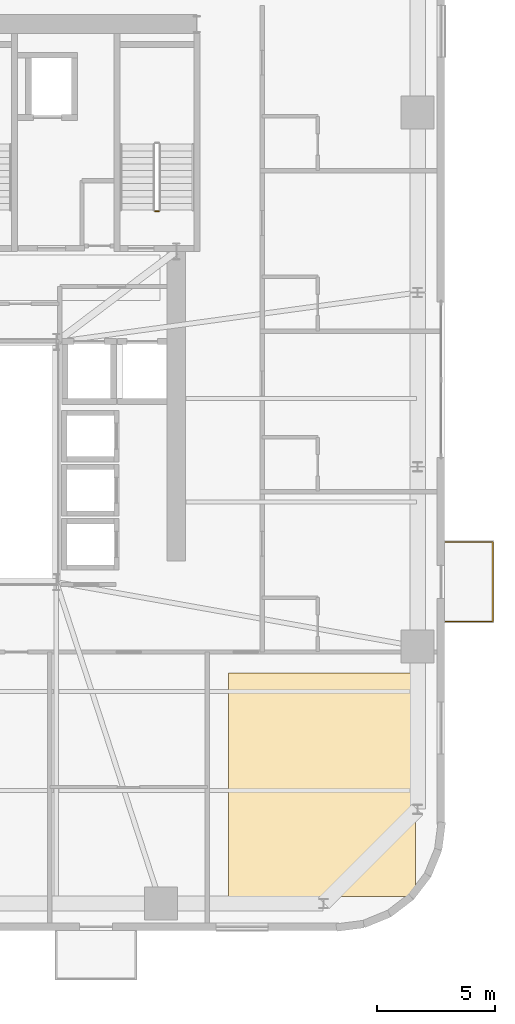
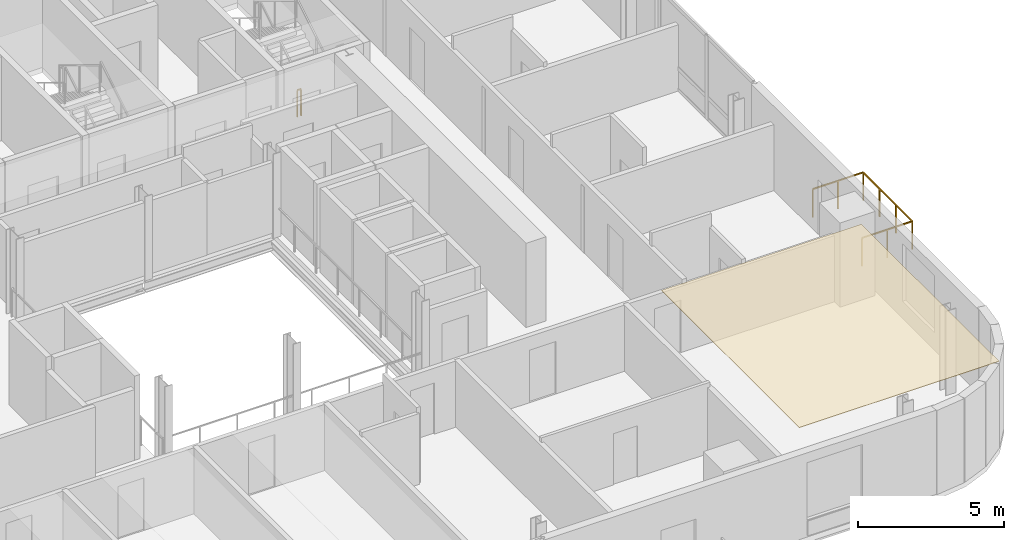
# One storey, part 14 of 16: 2 railings, 1 covering.
"""IFC4 building model written with IfcOpenShell, lengths in metres."""

from ifc_helpers import new_model, si_unit, direction, frame, origin, origin_2d, place, context, subcontext, project, spatial, polyline, rectangle, outline, extrude, source, transform, mapped, material, layer, layer_set, type_object, element, save


model = new_model("IFC4")

# Units and contexts
model_context = context("Model", 3, precision=1e-05, world=origin(), true_north=direction((0.0, 1.0)))
body_context = subcontext(model_context, "Body", "Model", "MODEL_VIEW")
ifc_project = project(units=[si_unit("LENGTHUNIT", "METRE"), si_unit("AREAUNIT", "SQUARE_METRE"), si_unit("VOLUMEUNIT", "CUBIC_METRE"), si_unit("PLANEANGLEUNIT", "RADIAN"), si_unit("MASSUNIT", "GRAM", prefix="KILO")], contexts=[model_context])

# Site, building, storey
site_placement = place(None, origin())
site = spatial("IfcSite", under=ifc_project, at=site_placement, CompositionType="ELEMENT")
building_placement = place(site_placement, origin())
building = spatial("IfcBuilding", under=site, at=building_placement, Name="Vardaveli Station Tower", CompositionType="ELEMENT")
storey_placement = place(building_placement, frame((0.0, 0.0, 199.800048828125)))
storey = spatial("IfcBuildingStorey", under=building, at=storey_placement, Name="L51", CompositionType="ELEMENT", Elevation=199.800048828125)

# Covering
ifc_material_1 = material(Name="Perforated acoustic mineral ceiling")
ifc_layer = layer(ifc_material_1, 0.02001953125, Name="Perforated acoustic mineral ceiling")
ifc_layer_set = layer_set([ifc_layer], Name="Perforated acoustic mineral ceiling")
covering_type = type_object("IfcCoveringType", Name="COV-CEIL-AC20", PredefinedType="CEILING", material=ifc_layer_set)
covering_placement = place(storey_placement, frame((0.0, 0.0, 3.514892578125)))
element("IfcCovering", 1, at=covering_placement, inside=storey, type_object=covering_type, Name="CEIL-L51-5", PredefinedType="CEILING", context=body_context, shape_type="SweptSolid", body=[
    extrude(outline(polyline([(48.719970703125, 3.25), (56.64990234375, 3.25), (56.64990234375, 12.72998046875), (48.719970703125, 12.72998046875), (48.719970703125, 3.25)])), origin(), (0.0, 0.0, 1.0), 0.02001953125),
])

# Railings
ifc_material_2 = material(Name="Laminated glass and stainless steel balustrade", Category="steel")
railing_type_1 = type_object("IfcRailingType", Name="RL-BAL-1200", PredefinedType="BALUSTRADE", material=ifc_material_2)
shared_shape_1 = source(origin(), body_context, "Body", "SweptSolid", [
    extrude(rectangle(XDim=0.048095703125, YDim=0.048095703125, at=origin_2d()), frame((0.0, 0.0, 1.17578125), z_axis=(1.0, 0.0, 0.0), x_axis=(0.0, 1.0, 0.0)), (0.0, 0.0, 1.0), 2.0),
    extrude(rectangle(XDim=0.048095703125, YDim=0.048095703125, at=origin_2d()), frame((2.0, 0.0, 1.17578125), z_axis=(0.0, 1.0, 0.0), x_axis=(-1.0, 0.0, 0.0)), (0.0, 0.0, 1.0), 3.3798828125),
    extrude(rectangle(XDim=0.048095703125, YDim=0.048095703125, at=origin_2d()), frame((2.0, 3.3798828125, 1.17578125), z_axis=(-1.0, 0.0, 0.0), x_axis=(0.0, -1.0, 0.0)), (0.0, 0.0, 1.0), 2.0),
    extrude(rectangle(XDim=0.0419921875, YDim=0.0419921875, at=origin_2d()), origin(), (0.0, 0.0, 1.0), 1.15185546875),
    extrude(rectangle(XDim=0.0419921875, YDim=0.0419921875, at=origin_2d()), frame((1.0, 0.0, 0.0)), (0.0, 0.0, 1.0), 1.15185546875),
    extrude(rectangle(XDim=0.0419921875, YDim=0.0419921875, at=origin_2d()), frame((2.0, 0.0, 0.0)), (0.0, 0.0, 1.0), 1.15185546875),
    extrude(rectangle(XDim=0.0419921875, YDim=0.0419921875, at=origin_2d()), frame((2.0, 1.126708984375, 0.0)), (0.0, 0.0, 1.0), 1.15185546875),
    extrude(rectangle(XDim=0.0419921875, YDim=0.0419921875, at=origin_2d()), frame((2.0, 2.253173828125, 0.0)), (0.0, 0.0, 1.0), 1.15185546875),
    extrude(rectangle(XDim=0.0419921875, YDim=0.0419921875, at=origin_2d()), frame((2.0, 3.3798828125, 0.0)), (0.0, 0.0, 1.0), 1.15185546875),
    extrude(rectangle(XDim=0.0419921875, YDim=0.0419921875, at=origin_2d()), frame((1.0, 3.3798828125, 0.0)), (0.0, 0.0, 1.0), 1.15185546875),
    extrude(rectangle(XDim=0.0419921875, YDim=0.0419921875, at=origin_2d()), frame((0.0, 3.3798828125, 0.0)), (0.0, 0.0, 1.0), 1.15185546875),
])
railing_1_placement = place(storey_placement, frame((57.93994140625, 14.92041015625, 0.0)))
element("IfcRailing", 2, at=railing_1_placement, inside=storey, type_object=railing_type_1, Name="RL-LOG-L51-04", PredefinedType="BALUSTRADE", context=body_context, shape_type="MappedRepresentation", body=[
    mapped(shared_shape_1, transform((0.0, 0.0, 0.0), scale=1.0)),
])
ifc_material_3 = material(Name="Brushed AISI 316 stainless steel", Category="steel")
railing_type_2 = type_object("IfcRailingType", Name="RL-GUARD-1150", PredefinedType="GUARDRAIL", material=ifc_material_3)
shared_shape_2 = source(origin(), body_context, "Body", "SweptSolid", [
    extrude(rectangle(XDim=0.048095703125, YDim=0.048095703125, at=origin_2d()), frame((0.0, 0.0, 1.1259765625), z_axis=(-1.0, 0.0, 0.0), x_axis=(0.0, -1.0, 0.0)), (0.0, 0.0, 1.0), 0.14990234375),
    extrude(rectangle(XDim=0.0419921875, YDim=0.0419921875, at=origin_2d()), origin(), (0.0, 0.0, 1.0), 1.101806640625),
    extrude(rectangle(XDim=0.0419921875, YDim=0.0419921875, at=origin_2d()), frame((-0.14990234375, 0.0, 0.0)), (0.0, 0.0, 1.0), 1.101806640625),
])
railing_2_placement = place(storey_placement, frame((45.75, 32.35009765625, 0.0)))
element("IfcRailing", 3, at=railing_2_placement, inside=storey, type_object=railing_type_2, Name="L51 ST-3 stair guard 4", PredefinedType="GUARDRAIL", context=body_context, shape_type="MappedRepresentation", body=[
    mapped(shared_shape_2, transform((0.0, 0.0, 0.0), scale=1.0)),
])

save(model, "model.ifc")
